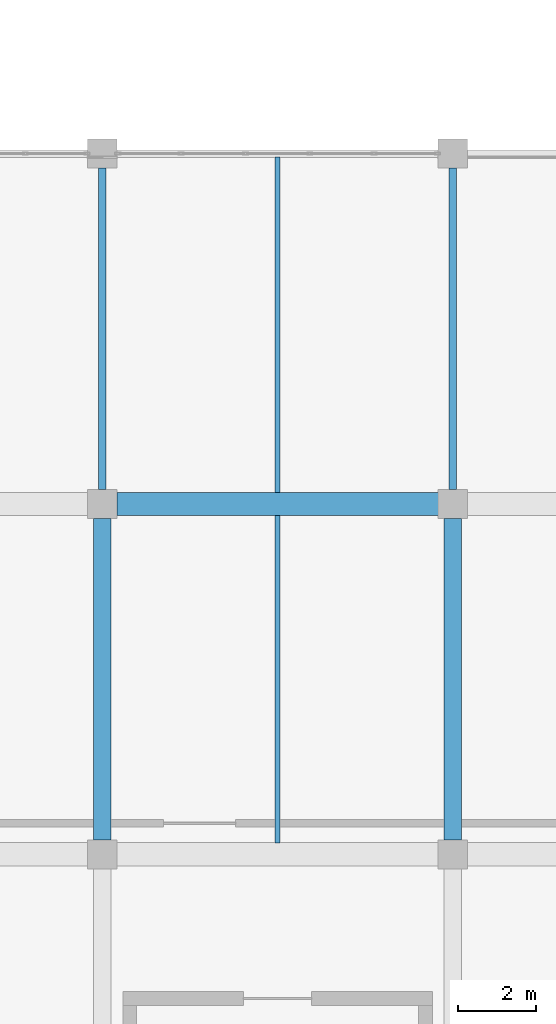
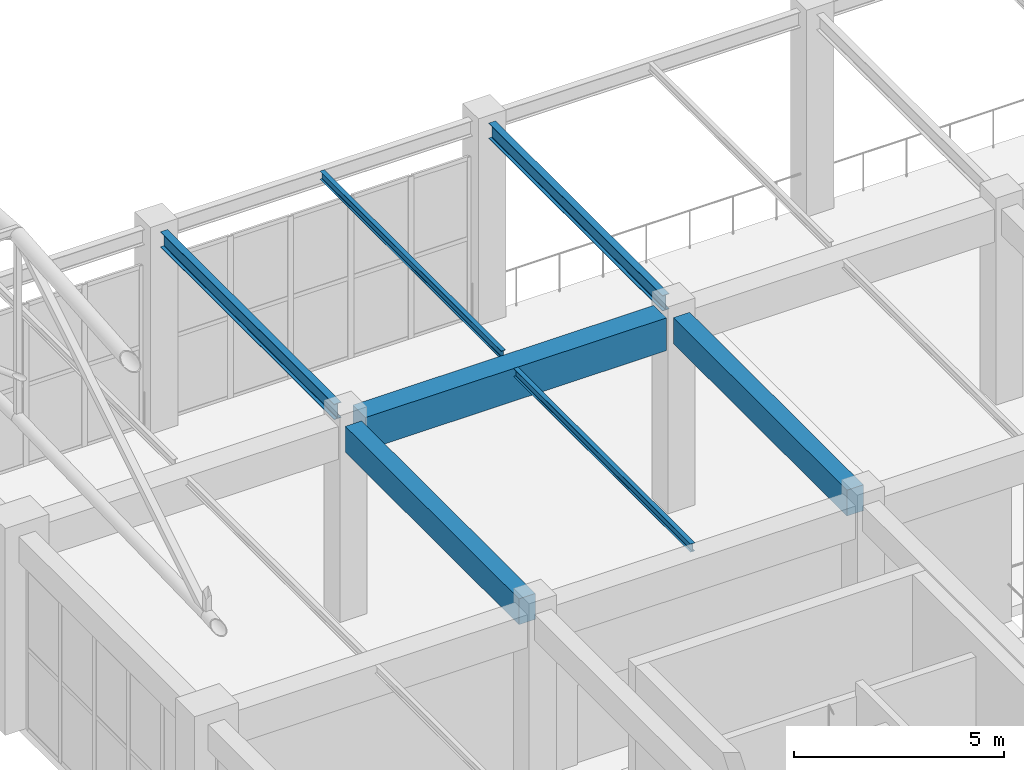
# One storey, part 150 of 223: 7 beams.
"""IFC4 building model written with IfcOpenShell, lengths in metres."""

from ifc_helpers import new_model, si_unit, direction, frame, origin, origin_2d, place, context, subcontext, project, spatial, rectangle, i_section, extrude, material, material_profile, profile_set, type_object, element, save


model = new_model("IFC4")

# Units and contexts
model_context = context("Model", 3, precision=1e-05, world=origin(), true_north=direction((0.0, 1.0)))
body_context = subcontext(model_context, "Body", "Model", "MODEL_VIEW")
ifc_project = project(units=[si_unit("LENGTHUNIT", "METRE"), si_unit("AREAUNIT", "SQUARE_METRE"), si_unit("VOLUMEUNIT", "CUBIC_METRE"), si_unit("PLANEANGLEUNIT", "RADIAN"), si_unit("MASSUNIT", "GRAM", prefix="KILO")], contexts=[model_context])

# Site, building, storey
site_placement = place(None, origin())
site = spatial("IfcSite", under=ifc_project, at=site_placement, CompositionType="ELEMENT")
building_placement = place(site_placement, origin())
building = spatial("IfcBuilding", under=site, at=building_placement, Name="Dornveld Trade and Exhibition Forum", CompositionType="ELEMENT")
storey_placement = place(building_placement, frame((0.0, 0.0, 6.0)))
storey = spatial("IfcBuildingStorey", under=building, at=storey_placement, Name="L01", CompositionType="ELEMENT", Elevation=6.0)

# Beams
ifc_material_1 = material(Name="Steel S355J2", Category="steel")
ifc_material_profile_1 = material_profile(ifc_material_1, i_section(OverallWidth=0.1201171875, OverallDepth=0.239990234375, WebThickness=0.006103515625, FlangeThickness=0.009765625, FilletRadius=0.014892578125, at=origin_2d()), Name="IPE 240")
ifc_profile_set_1 = profile_set([ifc_material_profile_1], Name="Steel S355J2")
beam_type_1 = type_object("IfcBeamType", Name="BM-JOIST-240", PredefinedType="JOIST", material=ifc_profile_set_1)
beam_1_placement = place(storey_placement, frame((184.5, 126.297119140625, 5.52001953125), z_axis=(0.0, 1.0, 0.0), x_axis=(-1.0, 0.0, 0.0)))
element("IfcBeam", 1, at=beam_1_placement, inside=storey, type_object=beam_type_1, Name="L01 secondary joist 1367", PredefinedType="JOIST", context=body_context, shape_type="SweptSolid", body=[
    extrude(i_section(OverallWidth=0.1201171875, OverallDepth=0.239990234375, WebThickness=0.006103515625, FlangeThickness=0.009765625, FilletRadius=0.014892578125, at=origin_2d()), origin(), (0.0, 0.0, 1.0), 8.40576171875),
])
beam_2_placement = place(storey_placement, frame((184.5, 135.297119140625, 5.659912109375), z_axis=(0.0, 1.0, 0.0), x_axis=(-1.0, 0.0, 0.0)))
element("IfcBeam", 2, at=beam_2_placement, inside=storey, type_object=beam_type_1, Name="L01 secondary joist 1787", PredefinedType="JOIST", context=body_context, shape_type="SweptSolid", body=[
    extrude(i_section(OverallWidth=0.1201171875, OverallDepth=0.239990234375, WebThickness=0.006103515625, FlangeThickness=0.009765625, FilletRadius=0.014892578125, at=origin_2d()), origin(), (0.0, 0.0, 1.0), 8.61083984375),
])
ifc_material_2 = material(Name="Precast concrete C50/60", Category="concrete")
ifc_material_profile_2 = material_profile(ifc_material_2, rectangle(XDim=0.449951171875, YDim=0.75, at=origin_2d()), Name="PC-BM 450x750")
ifc_profile_set_2 = profile_set([ifc_material_profile_2], Name="Precast concrete C50/60")
beam_type_2 = type_object("IfcBeamType", Name="BM-PC-450x750", PredefinedType="BEAM", material=ifc_profile_set_2)
for number, where, z_axis, x_axis, name in (
    (3, (180.0, 126.37109375, 5.264892578125), (0.0, 1.0, 0.0), (-1.0, 0.0, 0.0), "L01 Y-girder 1354"),
    (4, (189.0, 126.37109375, 5.264892578125), (0.0, 1.0, 0.0), (-1.0, 0.0, 0.0), "L01 Y-girder 1357"),
):
    element("IfcBeam", number, at=place(storey_placement, frame(where, z_axis=z_axis, x_axis=x_axis)), inside=storey, type_object=beam_type_2, Name=name, PredefinedType="BEAM", context=body_context, shape_type="SweptSolid", body=[
        extrude(rectangle(XDim=0.449951171875, YDim=0.75, at=origin_2d()), origin(), (0.0, 0.0, 1.0), 8.2578125),
    ])
ifc_material_3 = material(Name="Precast concrete C50/60", Category="concrete")
ifc_material_profile_3 = material_profile(ifc_material_3, rectangle(XDim=0.60009765625, YDim=0.949951171875, at=origin_2d()), Name="PC-GIR 600x950")
ifc_profile_set_3 = profile_set([ifc_material_profile_3], Name="Precast concrete C50/60")
beam_type_3 = type_object("IfcBeamType", Name="BM-PC-600x950", PredefinedType="T_BEAM", material=ifc_profile_set_3)
beam_3_placement = place(storey_placement, frame((180.37109375, 135.0, 5.1650390625), z_axis=(1.0, 0.0, 0.0), x_axis=(0.0, 1.0, 0.0)))
element("IfcBeam", 5, at=beam_3_placement, inside=storey, type_object=beam_type_3, Name="L01 X-girder 1346", PredefinedType="T_BEAM", context=body_context, shape_type="SweptSolid", body=[
    extrude(rectangle(XDim=0.60009765625, YDim=0.949951171875, at=origin_2d()), origin(), (0.0, 0.0, 1.0), 8.2578125),
])
ifc_material_4 = material(Name="Steel S355J2", Category="steel")
ifc_material_profile_4 = material_profile(ifc_material_4, i_section(OverallWidth=0.18994140625, OverallDepth=0.449951171875, WebThickness=0.009521484375, FlangeThickness=0.0146484375, FilletRadius=0.02099609375, at=origin_2d()), Name="IPE 450")
ifc_profile_set_4 = profile_set([ifc_material_profile_4], Name="Steel S355J2")
beam_type_4 = type_object("IfcBeamType", Name="BM-SEC-450", PredefinedType="BEAM", material=ifc_profile_set_4)
for number, where, z_axis, x_axis, name in (
    (6, (180.0, 135.37109375, 5.554931640625), (0.0, 1.0, 0.0), (-1.0, 0.0, 0.0), "L01 Y-girder 1775"),
    (7, (189.0, 135.37109375, 5.554931640625), (0.0, 1.0, 0.0), (-1.0, 0.0, 0.0), "L01 Y-girder 1777"),
):
    element("IfcBeam", number, at=place(storey_placement, frame(where, z_axis=z_axis, x_axis=x_axis)), inside=storey, type_object=beam_type_4, Name=name, PredefinedType="BEAM", context=body_context, shape_type="SweptSolid", body=[
        extrude(i_section(OverallWidth=0.18994140625, OverallDepth=0.449951171875, WebThickness=0.009521484375, FlangeThickness=0.0146484375, FilletRadius=0.02099609375, at=origin_2d()), origin(), (0.0, 0.0, 1.0), 8.2578125),
    ])

save(model, "model.ifc")
